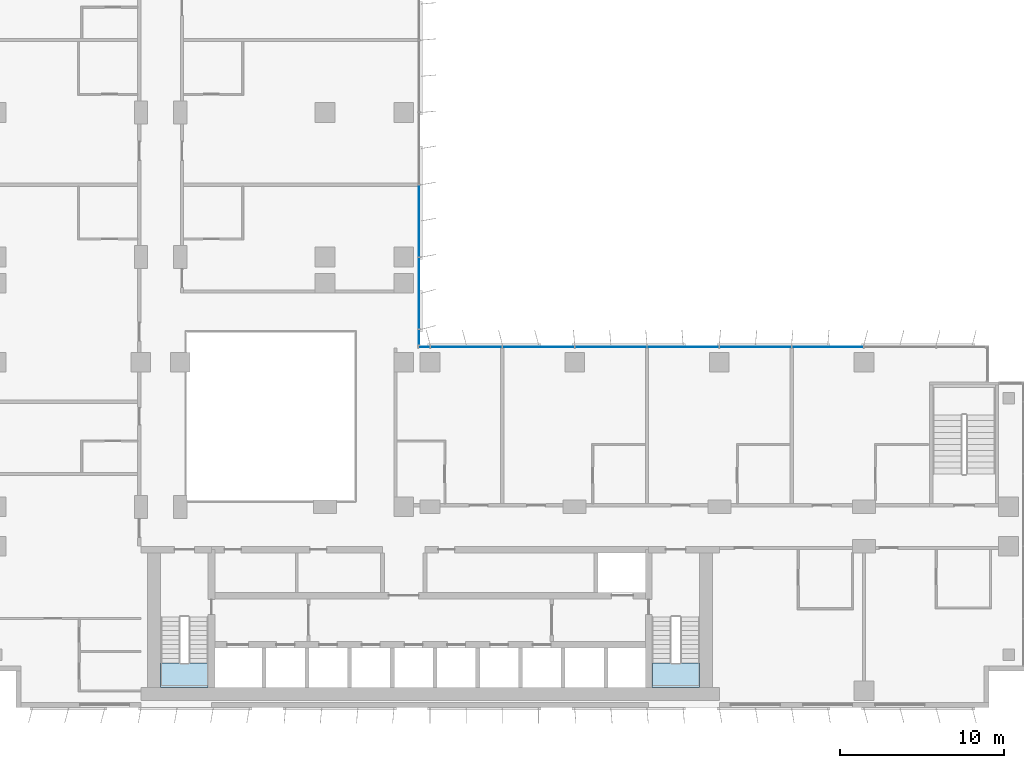
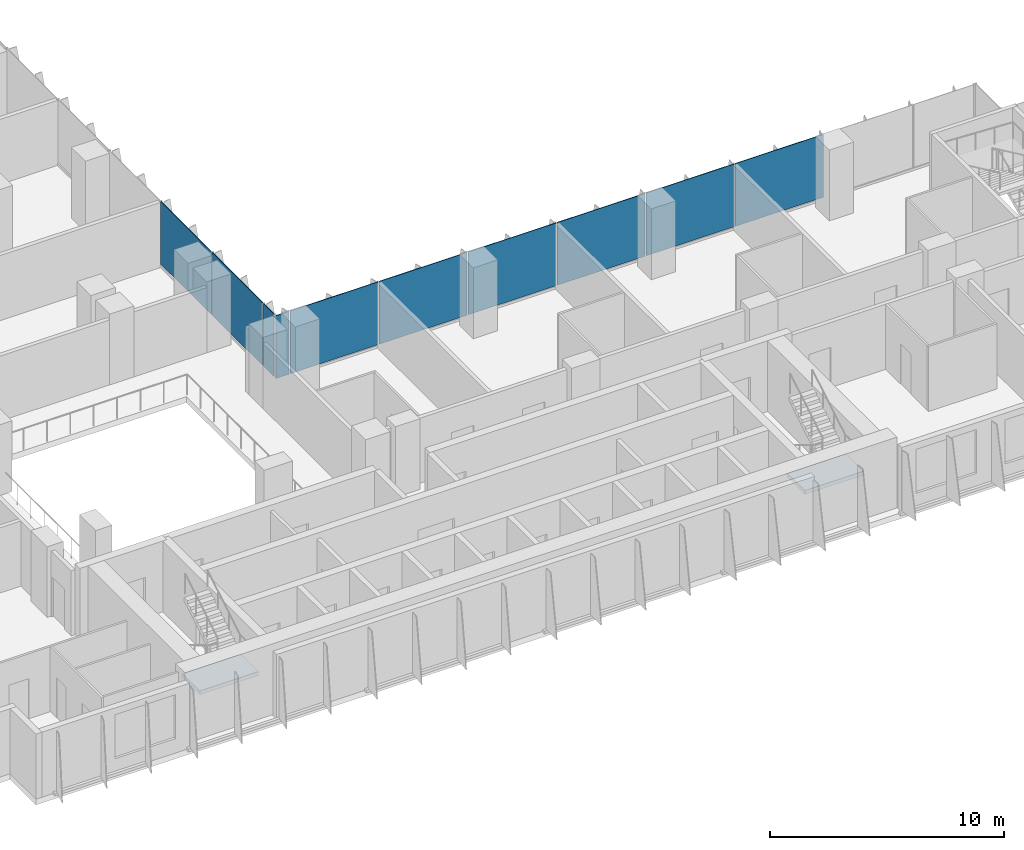
# One storey, part 10 of 22: 10 plates, 2 slabs, 4 elements without a shape of their own.
"""IFC4 building model written with IfcOpenShell, lengths in metres."""

import ifcopenshell
import ifcopenshell.guid

model = None  # the IFC model being written
_history = None  # IfcOwnerHistory: only IFC2X3 demands one
_inside = {}  # id of a spatial element -> (the spatial element, [elements in it])
_under = {}  # id of a project, library or spatial element -> (it, [spatial elements below it])
_declared = {}  # id of a project -> (the project, [libraries it declares])
_typed = {}  # id of a type object -> (the type object, [elements of that type])
_made_of = {}  # id of a material, layer set ... -> (it, [elements and type objects made of it])


def new_model(schema):
    """Start an empty IFC model of exactly this schema.

    Asked for "IFC4X3", IfcOpenShell would pick the latest addendum, in which some entities
    have other attributes; the version numbers below select the first issue.
    IFC2X3 requires an IfcOwnerHistory on every rooted entity: one is made here for all.
    """
    global model, _history
    if schema == "IFC4X3":
        model = ifcopenshell.file(schema_version=(4, 3, 0, 0))
    else:
        model = ifcopenshell.file(schema=schema)
    _inside.clear()
    _under.clear()
    _declared.clear()
    _typed.clear()
    _made_of.clear()
    _history = None
    if model.schema == "IFC2X3":
        org = make("IfcOrganization", Name="unknown")
        user = make(
            "IfcPersonAndOrganization",
            ThePerson=make("IfcPerson", FamilyName="unknown"),
            TheOrganization=org,
        )
        app = make(
            "IfcApplication",
            ApplicationDeveloper=org,
            Version="unknown",
            ApplicationFullName="unknown",
            ApplicationIdentifier="unknown",
        )
        _history = make(
            "IfcOwnerHistory",
            OwningUser=user,
            OwningApplication=app,
            ChangeAction="ADDED",
            CreationDate=0,
        )
    return model


def make(cls, **values):
    """One entity of the class cls with the attributes given. An attribute that is None is left unset."""
    return model.create_entity(
        cls, **{name: value for name, value in values.items() if value is not None}
    )


def rooted(cls, **values):
    """An entity with a GlobalId (a new one), such as an element, a storey or a relation."""
    return make(cls, GlobalId=ifcopenshell.guid.new(), OwnerHistory=_history, **values)


def si_unit(unit_type, name, prefix=None):
    """IfcSIUnit, for example si_unit("LENGTHUNIT", "METRE", prefix="MILLI")."""
    return make("IfcSIUnit", UnitType=unit_type, Prefix=prefix, Name=name)


def assignment(units):
    """IfcUnitAssignment: the units of a project."""
    return None if units is None else make("IfcUnitAssignment", Units=units)


def point(xyz):
    """IfcCartesianPoint."""
    return None if xyz is None else make("IfcCartesianPoint", Coordinates=xyz)


def direction(xyz):
    """IfcDirection."""
    return None if xyz is None else make("IfcDirection", DirectionRatios=xyz)


def frame(location, z_axis=None, x_axis=None):
    """IfcAxis2Placement3D, a coordinate frame: its origin and axes. An axis left out is left unset."""
    return make(
        "IfcAxis2Placement3D",
        Location=point(location),
        Axis=direction(z_axis),
        RefDirection=direction(x_axis),
    )


def frame_2d(location, x_axis=None):
    """IfcAxis2Placement2D, a coordinate frame in the plane: its origin and x axis."""
    return make(
        "IfcAxis2Placement2D", Location=point(location), RefDirection=direction(x_axis)
    )


def origin():
    """The frame at (0, 0, 0) with its axes left unset."""
    return frame((0.0, 0.0, 0.0))


def origin_2d():
    """The frame at (0, 0) in the plane with its x axis left unset."""
    return frame_2d((0.0, 0.0))


def place(relative_to, where):
    """IfcLocalPlacement: puts the frame where relative to a parent placement (None: the world)."""
    return make(
        "IfcLocalPlacement", PlacementRelTo=relative_to, RelativePlacement=where
    )


def context(
    kind, dimensions, precision=None, world=None, true_north=None, identifier=None
):
    """IfcGeometricRepresentationContext, for example the 3D "Model" context."""
    return make(
        "IfcGeometricRepresentationContext",
        ContextIdentifier=identifier,
        ContextType=kind,
        CoordinateSpaceDimension=dimensions,
        Precision=precision,
        WorldCoordinateSystem=world,
        TrueNorth=true_north,
    )


def subcontext(parent, identifier, kind, view, scale=None):
    """IfcGeometricRepresentationSubContext, for example "Body" below "Model"."""
    return make(
        "IfcGeometricRepresentationSubContext",
        ContextIdentifier=identifier,
        ContextType=kind,
        ParentContext=parent,
        TargetScale=scale,
        TargetView=view,
    )


def project(units=None, contexts=None):
    """IfcProject with its units and contexts."""
    return rooted(
        "IfcProject",
        Name="project",
        RepresentationContexts=contexts,
        UnitsInContext=assignment(units),
    )


def spatial(cls, under=None, at=None, **own):
    """A site, building, storey or space (cls), placed at a placement, below another one or the project."""
    s = rooted(cls, ObjectPlacement=at, **own)
    if under is not None:
        _under.setdefault(under.id(), (under, []))[1].append(s)
    return s


def polyline(points):
    """IfcPolyline through the points."""
    return make("IfcPolyline", Points=[point(p) for p in points])


def profile(cls, at=None, kind="AREA", **sizes):
    """A parametric profile (cls). Its sizes go by their IFC names, for example OverallWidth=200.0."""
    return make(cls, ProfileType=kind, Position=at, **sizes)


def rectangle(**sizes):
    """IfcRectangleProfileDef."""
    return profile("IfcRectangleProfileDef", **sizes)


def outline(outer, holes=None, kind="AREA"):
    """IfcArbitraryClosedProfileDef: a profile drawn as a closed curve; with holes, ...WithVoids."""
    if holes is None:
        return make("IfcArbitraryClosedProfileDef", ProfileType=kind, OuterCurve=outer)
    return make(
        "IfcArbitraryProfileDefWithVoids",
        ProfileType=kind,
        OuterCurve=outer,
        InnerCurves=holes,
    )


def extrude(swept, where, along, depth):
    """IfcExtrudedAreaSolid: the profile swept, set in the frame where, extruded along a direction by depth."""
    return make(
        "IfcExtrudedAreaSolid",
        SweptArea=swept,
        Position=where,
        ExtrudedDirection=direction(along),
        Depth=depth,
    )


def shape(context_of_items, identifier, shape_type, items):
    """IfcShapeRepresentation: the items that make up one representation, for example the "Body"."""
    return make(
        "IfcShapeRepresentation",
        ContextOfItems=context_of_items,
        RepresentationIdentifier=identifier,
        RepresentationType=shape_type,
        Items=items,
    )


def source(mapping_origin, context_of_items, identifier, shape_type, items):
    """IfcRepresentationMap: a shape defined once, which mapped items show again and again."""
    return make(
        "IfcRepresentationMap",
        MappingOrigin=mapping_origin,
        MappedRepresentation=shape(context_of_items, identifier, shape_type, items),
    )


def transform(
    local_origin,
    x_axis=None,
    y_axis=None,
    z_axis=None,
    scale=None,
    scale2=None,
    scale3=None,
    uniform=True,
):
    """IfcCartesianTransformationOperator3D, or its non-uniform kind. x_axis, y_axis, z_axis: its Axis1, 2, 3."""
    if uniform:
        return make(
            "IfcCartesianTransformationOperator3D",
            Axis1=direction(x_axis),
            Axis2=direction(y_axis),
            LocalOrigin=point(local_origin),
            Scale=scale,
            Axis3=direction(z_axis),
        )
    return make(
        "IfcCartesianTransformationOperator3DnonUniform",
        Axis1=direction(x_axis),
        Axis2=direction(y_axis),
        LocalOrigin=point(local_origin),
        Scale=scale,
        Axis3=direction(z_axis),
        Scale2=scale2,
        Scale3=scale3,
    )


def mapped(mapping_source, mapping_target):
    """IfcMappedItem: shows the shape of a source again, moved by a transform."""
    return make(
        "IfcMappedItem", MappingSource=mapping_source, MappingTarget=mapping_target
    )


def material(Name=None, Category=None):
    """IfcMaterial."""
    return make("IfcMaterial", Name=Name, Category=Category)


def layer(
    of_material, thickness, ventilated=None, Name=None, Category=None, Priority=None
):
    """IfcMaterialLayer: one layer of a wall or slab, of a material (None: an air gap)."""
    return make(
        "IfcMaterialLayer",
        Material=of_material,
        LayerThickness=thickness,
        IsVentilated=ventilated,
        Name=Name,
        Category=Category,
        Priority=Priority,
    )


def layer_set(layers, Name=None):
    """IfcMaterialLayerSet."""
    return make("IfcMaterialLayerSet", MaterialLayers=layers, LayerSetName=Name)


def made_of(thing, what):
    """Note that an element or type object is made of a material, layer set ...; save() writes the relation."""
    if what is not None:
        _made_of.setdefault(what.id(), (what, []))[1].append(thing)
    return thing


def type_object(cls, material=None, **own):
    """A type object (cls), such as IfcWallType, which elements share."""
    return made_of(rooted(cls, **own), material)


def element(
    cls,
    number,
    at=None,
    inside=None,
    cuts=None,
    type_object=None,
    material=None,
    context=None,
    identifier="Body",
    shape_type=None,
    held_by="IfcProductDefinitionShape",
    body=None,
    shapes=None,
    **own,
):
    """One element of the class cls, such as IfcWall. Its Tag is "e" and its number.

    at: its placement. inside: the storey or other place that contains it. cuts: it is an
    opening in that element (IfcRelVoidsElement). A single representation is given by context,
    identifier, shape_type and body (its items); several are given by shapes. held_by: the class
    of the entity that holds the representations. save() writes the other relations.
    """
    e = rooted(cls, Tag="e%d" % number, ObjectPlacement=at, **own)
    if body is not None:
        shapes = [shape(context, identifier, shape_type, body)]
    if shapes is not None:
        e.Representation = make(held_by, Representations=shapes)
    if inside is not None:
        _inside.setdefault(inside.id(), (inside, []))[1].append(e)
    if cuts is not None:
        rooted(
            "IfcRelVoidsElement", RelatingBuildingElement=cuts, RelatedOpeningElement=e
        )
    if type_object is not None:
        _typed.setdefault(type_object.id(), (type_object, []))[1].append(e)
    return made_of(e, material)


def aggregate(whole, parts):
    """IfcRelAggregates: a whole, such as a stair, and the parts it consists of."""
    return rooted("IfcRelAggregates", RelatingObject=whole, RelatedObjects=parts)


def save(model, path):
    """Write the relations noted so far, then the file.

    IfcRelAggregates (storeys below a building ...), IfcRelContainedInSpatialStructure (elements
    in a storey), IfcRelDefinesByType, IfcRelAssociatesMaterial and IfcRelDeclares: one each for
    every whole, place, type object, material and project.
    """
    for whole, parts in _under.values():
        aggregate(whole, parts)
    for where, things in _inside.values():
        rooted(
            "IfcRelContainedInSpatialStructure",
            RelatedElements=things,
            RelatingStructure=where,
        )
    for kind, things in _typed.values():
        rooted("IfcRelDefinesByType", RelatedObjects=things, RelatingType=kind)
    for what, things in _made_of.values():
        rooted("IfcRelAssociatesMaterial", RelatedObjects=things, RelatingMaterial=what)
    for by, libraries in _declared.values():
        rooted("IfcRelDeclares", RelatingContext=by, RelatedDefinitions=libraries)
    model.write(path)


model = new_model("IFC4")

# Units and contexts
model_context = context("Model", 3, precision=1e-05, world=origin(), true_north=direction((0.0, 1.0)))
body_context = subcontext(model_context, "Body", "Model", "MODEL_VIEW")
ifc_project = project(units=[si_unit("LENGTHUNIT", "METRE"), si_unit("AREAUNIT", "SQUARE_METRE"), si_unit("VOLUMEUNIT", "CUBIC_METRE"), si_unit("PLANEANGLEUNIT", "RADIAN"), si_unit("MASSUNIT", "GRAM", prefix="KILO")], contexts=[model_context])

# Site, building, storey
site_placement = place(None, origin())
site = spatial("IfcSite", under=ifc_project, at=site_placement, CompositionType="ELEMENT")
building_placement = place(site_placement, origin())
building = spatial("IfcBuilding", under=site, at=building_placement, Name="Kemantara Hotel Tower", CompositionType="ELEMENT")
storey_placement = place(building_placement, frame((0.0, 0.0, 87.10009765625)))
storey = spatial("IfcBuildingStorey", under=building, at=storey_placement, Name="L20", CompositionType="ELEMENT", Elevation=87.10009765625)

# Stair, slab
ifc_material_1 = material(Name="Concrete fc 40 MPa", Category="concrete")
stair_type = type_object("IfcStairType", Name="Stair 1200 wide 22 risers of 168 x 280 mm", PredefinedType="HALF_TURN_STAIR", material=ifc_material_1)
stair_1_placement = place(storey_placement, origin())
stair_1 = element("IfcStair", 1, at=stair_1_placement, inside=storey, type_object=stair_type, Name="L20 Exit stair ST1", PredefinedType="HALF_TURN_STAIR")
ifc_layer_1 = layer(ifc_material_1, 0.199951171875)
ifc_layer_set_1 = layer_set([ifc_layer_1], Name="Concrete fc 40 MPa")
slab_type = type_object("IfcSlabType", Name="Stair landing 200 mm", PredefinedType="LANDING", material=ifc_layer_set_1)
slab_1_placement = place(storey_placement, frame((0.0, 0.0, 1.64990234375)))
slab_1 = element("IfcSlab", 2, at=slab_1_placement, type_object=slab_type, Name="ST1 landing 1", PredefinedType="LANDING", context=body_context, shape_type="SweptSolid", body=[
    extrude(outline(polyline([(11.0, 2.699951171875), (11.0, 1.199951171875), (13.89990234375, 1.199951171875), (13.89990234375, 2.699951171875), (11.0, 2.699951171875)])), origin(), (0.0, 0.0, 1.0), 0.199951171875),
])
aggregate(stair_1, [slab_1])

stair_2_placement = place(storey_placement, origin())
stair_2 = element("IfcStair", 3, at=stair_2_placement, inside=storey, type_object=stair_type, Name="L20 Exit stair ST2", PredefinedType="HALF_TURN_STAIR")
slab_2_placement = place(storey_placement, frame((0.0, 0.0, 1.64990234375)))
slab_2 = element("IfcSlab", 4, at=slab_2_placement, type_object=slab_type, Name="ST2 landing 1", PredefinedType="LANDING", context=body_context, shape_type="SweptSolid", body=[
    extrude(outline(polyline([(40.89990234375, 2.699951171875), (40.89990234375, 1.199951171875), (43.800048828125, 1.199951171875), (43.800048828125, 2.699951171875), (40.89990234375, 2.699951171875)])), origin(), (0.0, 0.0, 1.0), 0.199951171875),
])
aggregate(stair_2, [slab_2])

# Curtain wall, plates
ifc_material_2 = material(Name="Low-E tinted double insulated glass 36 mm", Category="glass")
curtain_wall_type = type_object("IfcCurtainWallType", Name="TOWER CURTAIN WALL, FRONT FACES", PredefinedType="USERDEFINED", material=ifc_material_2)
curtain_wall_1_placement = place(storey_placement, origin())
curtain_wall_1 = element("IfcCurtainWall", 5, at=curtain_wall_1_placement, inside=storey, type_object=curtain_wall_type, Name="CW4 L20 T2-R13-1", ObjectType="TOWER CURTAIN WALL, FRONT FACES", PredefinedType="USERDEFINED")
ifc_layer_2 = layer(ifc_material_2, 0.035888671875)
ifc_layer_set_2 = layer_set([ifc_layer_2], Name="Low-E tinted double insulated glass 36 mm")
plate_type = type_object("IfcPlateType", Name="TOWER CURTAIN WALL, FRONT FACES PANEL", PredefinedType="CURTAIN_PANEL", material=ifc_layer_set_2)
shared_shape_1 = source(origin(), body_context, "Body", "SweptSolid", [
    extrude(rectangle(XDim=4.340087890625, YDim=0.035888671875, at=origin_2d()), origin(), (0.0, 0.0, 1.0), 3.280029296875),
])
plate_1_placement = place(storey_placement, frame((51.60009765625, 21.925048828125, 0.1201171875), z_axis=(0.0, 0.0, 1.0), x_axis=(-1.0, 0.0, 0.0)))
plate_1 = element("IfcPlate", 6, at=plate_1_placement, type_object=plate_type, Name="CW4 glass panel T2-R13-1.3", PredefinedType="CURTAIN_PANEL", context=body_context, shape_type="MappedRepresentation", body=[
    mapped(shared_shape_1, transform((0.0, 0.0, 0.0))),
])
plate_2_placement = place(storey_placement, frame((47.199951171875, 21.925048828125, 0.1201171875), z_axis=(0.0, 0.0, 1.0), x_axis=(-1.0, 0.0, 0.0)))
plate_2 = element("IfcPlate", 7, at=plate_2_placement, type_object=plate_type, Name="CW4 glass panel T2-R13-1.4", PredefinedType="CURTAIN_PANEL", context=body_context, shape_type="MappedRepresentation", body=[
    mapped(shared_shape_1, transform((0.0, 0.0, 0.0))),
])
plate_3_placement = place(storey_placement, frame((42.800048828125, 21.925048828125, 0.1201171875), z_axis=(0.0, 0.0, 1.0), x_axis=(-1.0, 0.0, 0.0)))
plate_3 = element("IfcPlate", 8, at=plate_3_placement, type_object=plate_type, Name="CW4 glass panel T2-R13-1.5", PredefinedType="CURTAIN_PANEL", context=body_context, shape_type="MappedRepresentation", body=[
    mapped(shared_shape_1, transform((0.0, 0.0, 0.0))),
])
plate_4_placement = place(storey_placement, frame((38.39990234375, 21.925048828125, 0.1201171875), z_axis=(0.0, 0.0, 1.0), x_axis=(-1.0, 0.0, 0.0)))
plate_4 = element("IfcPlate", 9, at=plate_4_placement, type_object=plate_type, Name="CW4 glass panel T2-R13-1.6", PredefinedType="CURTAIN_PANEL", context=body_context, shape_type="MappedRepresentation", body=[
    mapped(shared_shape_1, transform((0.0, 0.0, 0.0))),
])
plate_5_placement = place(storey_placement, frame((34.0, 21.925048828125, 0.1201171875), z_axis=(0.0, 0.0, 1.0), x_axis=(-1.0, 0.0, 0.0)))
plate_5 = element("IfcPlate", 10, at=plate_5_placement, type_object=plate_type, Name="CW4 glass panel T2-R13-1.7", PredefinedType="CURTAIN_PANEL", context=body_context, shape_type="MappedRepresentation", body=[
    mapped(shared_shape_1, transform((0.0, 0.0, 0.0))),
])
plate_6_placement = place(storey_placement, frame((29.60009765625, 21.925048828125, 0.1201171875), z_axis=(0.0, 0.0, 1.0), x_axis=(-1.0, 0.0, 0.0)))
plate_6 = element("IfcPlate", 11, at=plate_6_placement, type_object=plate_type, Name="CW4 glass panel T2-R13-1.8", PredefinedType="CURTAIN_PANEL", context=body_context, shape_type="MappedRepresentation", body=[
    mapped(shared_shape_1, transform((0.0, 0.0, 0.0))),
])

curtain_wall_2_placement = place(storey_placement, origin())
curtain_wall_2 = element("IfcCurtainWall", 12, at=curtain_wall_2_placement, inside=storey, type_object=curtain_wall_type, Name="CW4 L20 T2-R14-1", ObjectType="TOWER CURTAIN WALL, FRONT FACES", PredefinedType="USERDEFINED")
plate_7_placement = place(storey_placement, frame((26.72509765625, 25.199951171875, 0.1201171875), z_axis=(0.0, 0.0, 1.0), x_axis=(0.0, 1.0, 0.0)))
plate_7 = element("IfcPlate", 13, at=plate_7_placement, type_object=plate_type, Name="CW4 glass panel T2-R14-1.2", PredefinedType="CURTAIN_PANEL", context=body_context, shape_type="MappedRepresentation", body=[
    mapped(shared_shape_1, transform((0.0, 0.0, 0.0))),
])
plate_8_placement = place(storey_placement, frame((26.72509765625, 29.60009765625, 0.1201171875), z_axis=(0.0, 0.0, 1.0), x_axis=(0.0, 1.0, 0.0)))
plate_8 = element("IfcPlate", 14, at=plate_8_placement, type_object=plate_type, Name="CW4 glass panel T2-R14-1.3", PredefinedType="CURTAIN_PANEL", context=body_context, shape_type="MappedRepresentation", body=[
    mapped(shared_shape_1, transform((0.0, 0.0, 0.0))),
])

# Plate
shared_shape_2 = source(origin(), body_context, "Body", "SweptSolid", [
    extrude(rectangle(XDim=0.659912109375, YDim=0.035888671875, at=origin_2d()), origin(), (0.0, 0.0, 1.0), 3.280029296875),
])
plate_9_placement = place(storey_placement, frame((27.0400390625, 21.925048828125, 0.1201171875), z_axis=(0.0, 0.0, 1.0), x_axis=(-1.0, 0.0, 0.0)))
plate_9 = element("IfcPlate", 15, at=plate_9_placement, type_object=plate_type, Name="CW4 glass panel T2-R13-1.9", PredefinedType="CURTAIN_PANEL", context=body_context, shape_type="MappedRepresentation", body=[
    mapped(shared_shape_2, transform((0.0, 0.0, 0.0))),
])

aggregate(curtain_wall_1, [plate_1, plate_2, plate_3, plate_4, plate_5, plate_6, plate_9])

shared_shape_3 = source(origin(), body_context, "Body", "SweptSolid", [
    extrude(rectangle(XDim=0.909912109375, YDim=0.035888671875, at=origin_2d()), origin(), (0.0, 0.0, 1.0), 3.280029296875),
])
plate_10_placement = place(storey_placement, frame((26.72509765625, 22.514892578125, 0.1201171875), z_axis=(0.0, 0.0, 1.0), x_axis=(0.0, 1.0, 0.0)))
plate_10 = element("IfcPlate", 16, at=plate_10_placement, type_object=plate_type, Name="CW4 glass panel T2-R14-1.1", PredefinedType="CURTAIN_PANEL", context=body_context, shape_type="MappedRepresentation", body=[
    mapped(shared_shape_3, transform((0.0, 0.0, 0.0))),
])

aggregate(curtain_wall_2, [plate_10, plate_7, plate_8])

save(model, "model.ifc")
